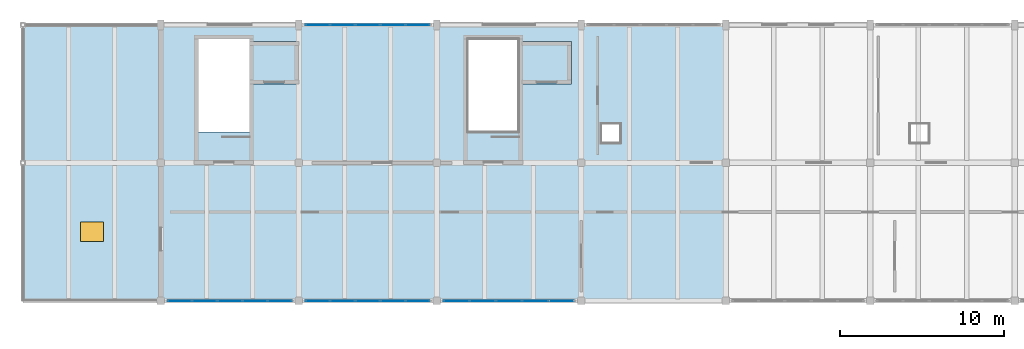
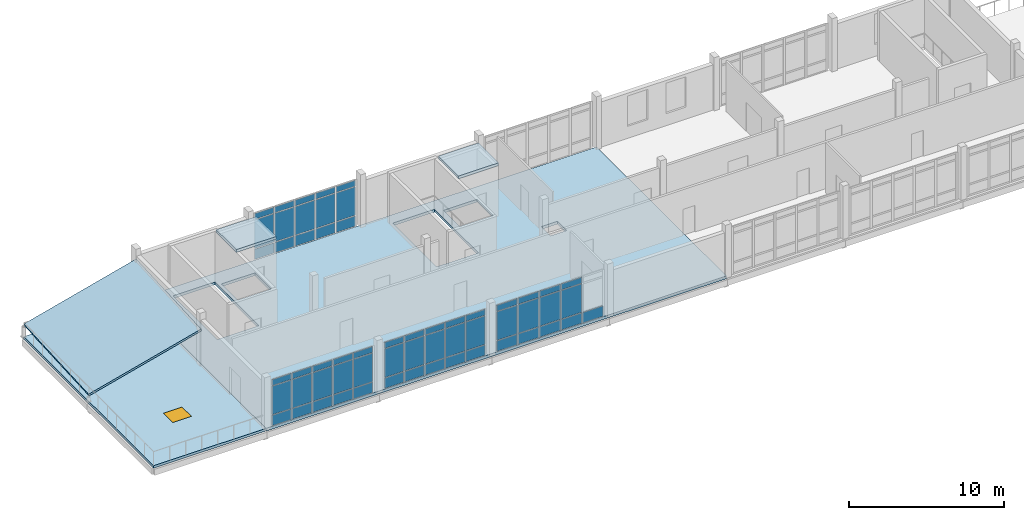
# One storey, part 9 of 13: 58 plates, 5 slabs, 1 window, 1 opening, 4 elements without a shape of their own.
"""IFC4 building model written with IfcOpenShell, lengths in metres."""

from ifc_helpers import new_model, si_unit, direction, frame, origin, origin_2d, place, context, subcontext, project, spatial, polyline, rectangle, outline, extrude, material, layer, layer_set, type_object, element, fill, aggregate, save


model = new_model("IFC4")

# Units and contexts
model_context = context("Model", 3, precision=1e-05, world=origin(), true_north=direction((0.0, 1.0)))
body_context = subcontext(model_context, "Body", "Model", "MODEL_VIEW")
ifc_project = project(units=[si_unit("LENGTHUNIT", "METRE"), si_unit("AREAUNIT", "SQUARE_METRE"), si_unit("VOLUMEUNIT", "CUBIC_METRE"), si_unit("PLANEANGLEUNIT", "RADIAN"), si_unit("MASSUNIT", "GRAM", prefix="KILO")], contexts=[model_context])

# Site, building, storey
site_placement = place(None, origin())
site = spatial("IfcSite", under=ifc_project, at=site_placement, CompositionType="ELEMENT")
building_placement = place(site_placement, origin())
building = spatial("IfcBuilding", under=site, at=building_placement, Name="Cinderway Yard Community Centre", CompositionType="ELEMENT")
storey_placement = place(building_placement, frame((0.0, 0.0, 20.10009765625)))
storey = spatial("IfcBuildingStorey", under=building, at=storey_placement, Name="L05", CompositionType="ELEMENT", Elevation=20.10009765625)

# Curtain wall, plates
ifc_material_1 = material(Name="Aluminium 6063-T6", Category="aluminium")
curtain_wall_type_1 = type_object("IfcCurtainWallType", Name="ENV-CW-TYPE-26", PredefinedType="USERDEFINED", material=ifc_material_1)
curtain_wall_1_placement = place(storey_placement, origin())
curtain_wall_1 = element("IfcCurtainWall", 1, at=curtain_wall_1_placement, inside=storey, type_object=curtain_wall_type_1, Name="V4 Courtyard Curtain Wall ENV-CW-L05-ST-0188", ObjectType="GLAZED CURTAIN WALL", PredefinedType="USERDEFINED")
ifc_material_2 = material(Name="Laminated Low-E Glass", Category="glass")
ifc_layer_1 = layer(ifc_material_2, 0.028076171875, Name="Laminated Low-E Glass")
ifc_layer_set_1 = layer_set([ifc_layer_1], Name="Laminated Low-E Glass")
plate_type = type_object("IfcPlateType", Name="ENV-CW-PAN-IGU28", PredefinedType="CURTAIN_PANEL", material=ifc_layer_set_1)
plate_1_placement = place(storey_placement, frame((59.55908203125, 98.39990234375, 0.059814453125), z_axis=(0.0, 0.0, 1.0), x_axis=(1.0, 0.0, 0.0)))
plate_1 = element("IfcPlate", 2, at=plate_1_placement, type_object=plate_type, Name="CW-26 panel 1.1", PredefinedType="CURTAIN_PANEL", context=body_context, shape_type="SweptSolid", body=[
    extrude(rectangle(XDim=1.43798828125, YDim=0.028076171875, at=origin_2d()), origin(), (0.0, 0.0, 1.0), 0.81005859375),
])
plate_2_placement = place(storey_placement, frame((59.55908203125, 98.39990234375, 0.9296875), z_axis=(0.0, 0.0, 1.0), x_axis=(1.0, 0.0, 0.0)))
plate_2 = element("IfcPlate", 3, at=plate_2_placement, type_object=plate_type, Name="CW-26 panel 1.2", PredefinedType="CURTAIN_PANEL", context=body_context, shape_type="SweptSolid", body=[
    extrude(rectangle(XDim=1.43798828125, YDim=0.028076171875, at=origin_2d()), origin(), (0.0, 0.0, 1.0), 2.239990234375),
])
plate_3_placement = place(storey_placement, frame((59.55908203125, 98.39990234375, 3.22998046875), z_axis=(0.0, 0.0, 1.0), x_axis=(1.0, 0.0, 0.0)))
plate_3 = element("IfcPlate", 4, at=plate_3_placement, type_object=plate_type, Name="CW-26 panel 1.3", PredefinedType="CURTAIN_PANEL", context=body_context, shape_type="SweptSolid", body=[
    extrude(rectangle(XDim=1.43798828125, YDim=0.028076171875, at=origin_2d()), origin(), (0.0, 0.0, 1.0), 0.4599609375),
])
plate_4_placement = place(storey_placement, frame((61.072021484375, 98.39990234375, 0.059814453125), z_axis=(0.0, 0.0, 1.0), x_axis=(1.0, 0.0, 0.0)))
plate_4 = element("IfcPlate", 5, at=plate_4_placement, type_object=plate_type, Name="CW-26 panel 2.1", PredefinedType="CURTAIN_PANEL", context=body_context, shape_type="SweptSolid", body=[
    extrude(rectangle(XDim=1.468017578125, YDim=0.028076171875, at=origin_2d()), origin(), (0.0, 0.0, 1.0), 0.81005859375),
])
plate_5_placement = place(storey_placement, frame((61.072021484375, 98.39990234375, 0.9296875), z_axis=(0.0, 0.0, 1.0), x_axis=(1.0, 0.0, 0.0)))
plate_5 = element("IfcPlate", 6, at=plate_5_placement, type_object=plate_type, Name="CW-26 panel 2.2", PredefinedType="CURTAIN_PANEL", context=body_context, shape_type="SweptSolid", body=[
    extrude(rectangle(XDim=1.468017578125, YDim=0.028076171875, at=origin_2d()), origin(), (0.0, 0.0, 1.0), 2.239990234375),
])
plate_6_placement = place(storey_placement, frame((61.072021484375, 98.39990234375, 3.22998046875), z_axis=(0.0, 0.0, 1.0), x_axis=(1.0, 0.0, 0.0)))
plate_6 = element("IfcPlate", 7, at=plate_6_placement, type_object=plate_type, Name="CW-26 panel 2.3", PredefinedType="CURTAIN_PANEL", context=body_context, shape_type="SweptSolid", body=[
    extrude(rectangle(XDim=1.468017578125, YDim=0.028076171875, at=origin_2d()), origin(), (0.0, 0.0, 1.0), 0.4599609375),
])
plate_7_placement = place(storey_placement, frame((62.60009765625, 98.39990234375, 0.059814453125), z_axis=(0.0, 0.0, 1.0), x_axis=(1.0, 0.0, 0.0)))
plate_7 = element("IfcPlate", 8, at=plate_7_placement, type_object=plate_type, Name="CW-26 panel 3.1", PredefinedType="CURTAIN_PANEL", context=body_context, shape_type="SweptSolid", body=[
    extrude(rectangle(XDim=1.468017578125, YDim=0.028076171875, at=origin_2d()), origin(), (0.0, 0.0, 1.0), 0.81005859375),
])
plate_8_placement = place(storey_placement, frame((62.60009765625, 98.39990234375, 0.9296875), z_axis=(0.0, 0.0, 1.0), x_axis=(1.0, 0.0, 0.0)))
plate_8 = element("IfcPlate", 9, at=plate_8_placement, type_object=plate_type, Name="CW-26 panel 3.2", PredefinedType="CURTAIN_PANEL", context=body_context, shape_type="SweptSolid", body=[
    extrude(rectangle(XDim=1.468017578125, YDim=0.028076171875, at=origin_2d()), origin(), (0.0, 0.0, 1.0), 2.239990234375),
])
plate_9_placement = place(storey_placement, frame((62.60009765625, 98.39990234375, 3.22998046875), z_axis=(0.0, 0.0, 1.0), x_axis=(1.0, 0.0, 0.0)))
plate_9 = element("IfcPlate", 10, at=plate_9_placement, type_object=plate_type, Name="CW-26 panel 3.3", PredefinedType="CURTAIN_PANEL", context=body_context, shape_type="SweptSolid", body=[
    extrude(rectangle(XDim=1.468017578125, YDim=0.028076171875, at=origin_2d()), origin(), (0.0, 0.0, 1.0), 0.4599609375),
])
plate_10_placement = place(storey_placement, frame((64.1279296875, 98.39990234375, 0.059814453125), z_axis=(0.0, 0.0, 1.0), x_axis=(1.0, 0.0, 0.0)))
plate_10 = element("IfcPlate", 11, at=plate_10_placement, type_object=plate_type, Name="CW-26 panel 4.1", PredefinedType="CURTAIN_PANEL", context=body_context, shape_type="SweptSolid", body=[
    extrude(rectangle(XDim=1.468017578125, YDim=0.028076171875, at=origin_2d()), origin(), (0.0, 0.0, 1.0), 0.81005859375),
])
plate_11_placement = place(storey_placement, frame((64.1279296875, 98.39990234375, 0.9296875), z_axis=(0.0, 0.0, 1.0), x_axis=(1.0, 0.0, 0.0)))
plate_11 = element("IfcPlate", 12, at=plate_11_placement, type_object=plate_type, Name="CW-26 panel 4.2", PredefinedType="CURTAIN_PANEL", context=body_context, shape_type="SweptSolid", body=[
    extrude(rectangle(XDim=1.468017578125, YDim=0.028076171875, at=origin_2d()), origin(), (0.0, 0.0, 1.0), 2.239990234375),
])
plate_12_placement = place(storey_placement, frame((64.1279296875, 98.39990234375, 3.22998046875), z_axis=(0.0, 0.0, 1.0), x_axis=(1.0, 0.0, 0.0)))
plate_12 = element("IfcPlate", 13, at=plate_12_placement, type_object=plate_type, Name="CW-26 panel 4.3", PredefinedType="CURTAIN_PANEL", context=body_context, shape_type="SweptSolid", body=[
    extrude(rectangle(XDim=1.468017578125, YDim=0.028076171875, at=origin_2d()), origin(), (0.0, 0.0, 1.0), 0.4599609375),
])
plate_13_placement = place(storey_placement, frame((65.64111328125, 98.39990234375, 0.059814453125), z_axis=(0.0, 0.0, 1.0), x_axis=(1.0, 0.0, 0.0)))
plate_13 = element("IfcPlate", 14, at=plate_13_placement, type_object=plate_type, Name="CW-26 panel 5.1", PredefinedType="CURTAIN_PANEL", context=body_context, shape_type="SweptSolid", body=[
    extrude(rectangle(XDim=1.43798828125, YDim=0.028076171875, at=origin_2d()), origin(), (0.0, 0.0, 1.0), 0.81005859375),
])
plate_14_placement = place(storey_placement, frame((65.64111328125, 98.39990234375, 0.9296875), z_axis=(0.0, 0.0, 1.0), x_axis=(1.0, 0.0, 0.0)))
plate_14 = element("IfcPlate", 15, at=plate_14_placement, type_object=plate_type, Name="CW-26 panel 5.2", PredefinedType="CURTAIN_PANEL", context=body_context, shape_type="SweptSolid", body=[
    extrude(rectangle(XDim=1.43798828125, YDim=0.028076171875, at=origin_2d()), origin(), (0.0, 0.0, 1.0), 2.239990234375),
])
plate_15_placement = place(storey_placement, frame((65.64111328125, 98.39990234375, 3.22998046875), z_axis=(0.0, 0.0, 1.0), x_axis=(1.0, 0.0, 0.0)))
plate_15 = element("IfcPlate", 16, at=plate_15_placement, type_object=plate_type, Name="CW-26 panel 5.3", PredefinedType="CURTAIN_PANEL", context=body_context, shape_type="SweptSolid", body=[
    extrude(rectangle(XDim=1.43798828125, YDim=0.028076171875, at=origin_2d()), origin(), (0.0, 0.0, 1.0), 0.4599609375),
])
aggregate(curtain_wall_1, [plate_1, plate_2, plate_3, plate_4, plate_5, plate_6, plate_7, plate_8, plate_9, plate_10, plate_11, plate_12, plate_13, plate_14, plate_15])

curtain_wall_2_placement = place(storey_placement, origin())
curtain_wall_2 = element("IfcCurtainWall", 17, at=curtain_wall_2_placement, inside=storey, type_object=curtain_wall_type_1, Name="V4 Street Curtain Wall ENV-CW-L05-ST-0189", ObjectType="GLAZED CURTAIN WALL", PredefinedType="USERDEFINED")
plate_16_placement = place(storey_placement, frame((67.958984375, 115.199951171875, 0.059814453125), z_axis=(0.0, 0.0, 1.0), x_axis=(1.0, 0.0, 0.0)))
plate_16 = element("IfcPlate", 18, at=plate_16_placement, type_object=plate_type, Name="CW-26 panel 1.1", PredefinedType="CURTAIN_PANEL", context=body_context, shape_type="SweptSolid", body=[
    extrude(rectangle(XDim=1.43798828125, YDim=0.028076171875, at=origin_2d()), origin(), (0.0, 0.0, 1.0), 0.81005859375),
])
plate_17_placement = place(storey_placement, frame((67.958984375, 115.199951171875, 0.9296875), z_axis=(0.0, 0.0, 1.0), x_axis=(1.0, 0.0, 0.0)))
plate_17 = element("IfcPlate", 19, at=plate_17_placement, type_object=plate_type, Name="CW-26 panel 1.2", PredefinedType="CURTAIN_PANEL", context=body_context, shape_type="SweptSolid", body=[
    extrude(rectangle(XDim=1.43798828125, YDim=0.028076171875, at=origin_2d()), origin(), (0.0, 0.0, 1.0), 2.239990234375),
])
plate_18_placement = place(storey_placement, frame((67.958984375, 115.199951171875, 3.22998046875), z_axis=(0.0, 0.0, 1.0), x_axis=(1.0, 0.0, 0.0)))
plate_18 = element("IfcPlate", 20, at=plate_18_placement, type_object=plate_type, Name="CW-26 panel 1.3", PredefinedType="CURTAIN_PANEL", context=body_context, shape_type="SweptSolid", body=[
    extrude(rectangle(XDim=1.43798828125, YDim=0.028076171875, at=origin_2d()), origin(), (0.0, 0.0, 1.0), 0.4599609375),
])
plate_19_placement = place(storey_placement, frame((69.471923828125, 115.199951171875, 0.059814453125), z_axis=(0.0, 0.0, 1.0), x_axis=(1.0, 0.0, 0.0)))
plate_19 = element("IfcPlate", 21, at=plate_19_placement, type_object=plate_type, Name="CW-26 panel 2.1", PredefinedType="CURTAIN_PANEL", context=body_context, shape_type="SweptSolid", body=[
    extrude(rectangle(XDim=1.468017578125, YDim=0.028076171875, at=origin_2d()), origin(), (0.0, 0.0, 1.0), 0.81005859375),
])
plate_20_placement = place(storey_placement, frame((69.471923828125, 115.199951171875, 0.9296875), z_axis=(0.0, 0.0, 1.0), x_axis=(1.0, 0.0, 0.0)))
plate_20 = element("IfcPlate", 22, at=plate_20_placement, type_object=plate_type, Name="CW-26 panel 2.2", PredefinedType="CURTAIN_PANEL", context=body_context, shape_type="SweptSolid", body=[
    extrude(rectangle(XDim=1.468017578125, YDim=0.028076171875, at=origin_2d()), origin(), (0.0, 0.0, 1.0), 2.239990234375),
])
plate_21_placement = place(storey_placement, frame((69.471923828125, 115.199951171875, 3.22998046875), z_axis=(0.0, 0.0, 1.0), x_axis=(1.0, 0.0, 0.0)))
plate_21 = element("IfcPlate", 23, at=plate_21_placement, type_object=plate_type, Name="CW-26 panel 2.3", PredefinedType="CURTAIN_PANEL", context=body_context, shape_type="SweptSolid", body=[
    extrude(rectangle(XDim=1.468017578125, YDim=0.028076171875, at=origin_2d()), origin(), (0.0, 0.0, 1.0), 0.4599609375),
])
plate_22_placement = place(storey_placement, frame((71.0, 115.199951171875, 0.059814453125), z_axis=(0.0, 0.0, 1.0), x_axis=(1.0, 0.0, 0.0)))
plate_22 = element("IfcPlate", 24, at=plate_22_placement, type_object=plate_type, Name="CW-26 panel 3.1", PredefinedType="CURTAIN_PANEL", context=body_context, shape_type="SweptSolid", body=[
    extrude(rectangle(XDim=1.468017578125, YDim=0.028076171875, at=origin_2d()), origin(), (0.0, 0.0, 1.0), 0.81005859375),
])
plate_23_placement = place(storey_placement, frame((71.0, 115.199951171875, 0.9296875), z_axis=(0.0, 0.0, 1.0), x_axis=(1.0, 0.0, 0.0)))
plate_23 = element("IfcPlate", 25, at=plate_23_placement, type_object=plate_type, Name="CW-26 panel 3.2", PredefinedType="CURTAIN_PANEL", context=body_context, shape_type="SweptSolid", body=[
    extrude(rectangle(XDim=1.468017578125, YDim=0.028076171875, at=origin_2d()), origin(), (0.0, 0.0, 1.0), 2.239990234375),
])
plate_24_placement = place(storey_placement, frame((71.0, 115.199951171875, 3.22998046875), z_axis=(0.0, 0.0, 1.0), x_axis=(1.0, 0.0, 0.0)))
plate_24 = element("IfcPlate", 26, at=plate_24_placement, type_object=plate_type, Name="CW-26 panel 3.3", PredefinedType="CURTAIN_PANEL", context=body_context, shape_type="SweptSolid", body=[
    extrude(rectangle(XDim=1.468017578125, YDim=0.028076171875, at=origin_2d()), origin(), (0.0, 0.0, 1.0), 0.4599609375),
])
plate_25_placement = place(storey_placement, frame((72.528076171875, 115.199951171875, 0.059814453125), z_axis=(0.0, 0.0, 1.0), x_axis=(1.0, 0.0, 0.0)))
plate_25 = element("IfcPlate", 27, at=plate_25_placement, type_object=plate_type, Name="CW-26 panel 4.1", PredefinedType="CURTAIN_PANEL", context=body_context, shape_type="SweptSolid", body=[
    extrude(rectangle(XDim=1.468017578125, YDim=0.028076171875, at=origin_2d()), origin(), (0.0, 0.0, 1.0), 0.81005859375),
])
plate_26_placement = place(storey_placement, frame((72.528076171875, 115.199951171875, 0.9296875), z_axis=(0.0, 0.0, 1.0), x_axis=(1.0, 0.0, 0.0)))
plate_26 = element("IfcPlate", 28, at=plate_26_placement, type_object=plate_type, Name="CW-26 panel 4.2", PredefinedType="CURTAIN_PANEL", context=body_context, shape_type="SweptSolid", body=[
    extrude(rectangle(XDim=1.468017578125, YDim=0.028076171875, at=origin_2d()), origin(), (0.0, 0.0, 1.0), 2.239990234375),
])
plate_27_placement = place(storey_placement, frame((72.528076171875, 115.199951171875, 3.22998046875), z_axis=(0.0, 0.0, 1.0), x_axis=(1.0, 0.0, 0.0)))
plate_27 = element("IfcPlate", 29, at=plate_27_placement, type_object=plate_type, Name="CW-26 panel 4.3", PredefinedType="CURTAIN_PANEL", context=body_context, shape_type="SweptSolid", body=[
    extrude(rectangle(XDim=1.468017578125, YDim=0.028076171875, at=origin_2d()), origin(), (0.0, 0.0, 1.0), 0.4599609375),
])
plate_28_placement = place(storey_placement, frame((74.041015625, 115.199951171875, 0.059814453125), z_axis=(0.0, 0.0, 1.0), x_axis=(1.0, 0.0, 0.0)))
plate_28 = element("IfcPlate", 30, at=plate_28_placement, type_object=plate_type, Name="CW-26 panel 5.1", PredefinedType="CURTAIN_PANEL", context=body_context, shape_type="SweptSolid", body=[
    extrude(rectangle(XDim=1.43798828125, YDim=0.028076171875, at=origin_2d()), origin(), (0.0, 0.0, 1.0), 0.81005859375),
])
plate_29_placement = place(storey_placement, frame((74.041015625, 115.199951171875, 0.9296875), z_axis=(0.0, 0.0, 1.0), x_axis=(1.0, 0.0, 0.0)))
plate_29 = element("IfcPlate", 31, at=plate_29_placement, type_object=plate_type, Name="CW-26 panel 5.2", PredefinedType="CURTAIN_PANEL", context=body_context, shape_type="SweptSolid", body=[
    extrude(rectangle(XDim=1.43798828125, YDim=0.028076171875, at=origin_2d()), origin(), (0.0, 0.0, 1.0), 2.239990234375),
])
plate_30_placement = place(storey_placement, frame((74.041015625, 115.199951171875, 3.22998046875), z_axis=(0.0, 0.0, 1.0), x_axis=(1.0, 0.0, 0.0)))
plate_30 = element("IfcPlate", 32, at=plate_30_placement, type_object=plate_type, Name="CW-26 panel 5.3", PredefinedType="CURTAIN_PANEL", context=body_context, shape_type="SweptSolid", body=[
    extrude(rectangle(XDim=1.43798828125, YDim=0.028076171875, at=origin_2d()), origin(), (0.0, 0.0, 1.0), 0.4599609375),
])
aggregate(curtain_wall_2, [plate_16, plate_17, plate_18, plate_19, plate_20, plate_21, plate_22, plate_23, plate_24, plate_25, plate_26, plate_27, plate_28, plate_29, plate_30])

curtain_wall_3_placement = place(storey_placement, origin())
curtain_wall_3 = element("IfcCurtainWall", 33, at=curtain_wall_3_placement, inside=storey, type_object=curtain_wall_type_1, Name="V4 Courtyard Curtain Wall ENV-CW-L05-ST-0190", ObjectType="GLAZED CURTAIN WALL", PredefinedType="USERDEFINED")
plate_31_placement = place(storey_placement, frame((67.958984375, 98.39990234375, 0.059814453125), z_axis=(0.0, 0.0, 1.0), x_axis=(1.0, 0.0, 0.0)))
plate_31 = element("IfcPlate", 34, at=plate_31_placement, type_object=plate_type, Name="CW-26 panel 1.1", PredefinedType="CURTAIN_PANEL", context=body_context, shape_type="SweptSolid", body=[
    extrude(rectangle(XDim=1.43798828125, YDim=0.028076171875, at=origin_2d()), origin(), (0.0, 0.0, 1.0), 0.81005859375),
])
plate_32_placement = place(storey_placement, frame((67.958984375, 98.39990234375, 0.9296875), z_axis=(0.0, 0.0, 1.0), x_axis=(1.0, 0.0, 0.0)))
plate_32 = element("IfcPlate", 35, at=plate_32_placement, type_object=plate_type, Name="CW-26 panel 1.2", PredefinedType="CURTAIN_PANEL", context=body_context, shape_type="SweptSolid", body=[
    extrude(rectangle(XDim=1.43798828125, YDim=0.028076171875, at=origin_2d()), origin(), (0.0, 0.0, 1.0), 2.239990234375),
])
plate_33_placement = place(storey_placement, frame((67.958984375, 98.39990234375, 3.22998046875), z_axis=(0.0, 0.0, 1.0), x_axis=(1.0, 0.0, 0.0)))
plate_33 = element("IfcPlate", 36, at=plate_33_placement, type_object=plate_type, Name="CW-26 panel 1.3", PredefinedType="CURTAIN_PANEL", context=body_context, shape_type="SweptSolid", body=[
    extrude(rectangle(XDim=1.43798828125, YDim=0.028076171875, at=origin_2d()), origin(), (0.0, 0.0, 1.0), 0.4599609375),
])
plate_34_placement = place(storey_placement, frame((69.471923828125, 98.39990234375, 0.059814453125), z_axis=(0.0, 0.0, 1.0), x_axis=(1.0, 0.0, 0.0)))
plate_34 = element("IfcPlate", 37, at=plate_34_placement, type_object=plate_type, Name="CW-26 panel 2.1", PredefinedType="CURTAIN_PANEL", context=body_context, shape_type="SweptSolid", body=[
    extrude(rectangle(XDim=1.468017578125, YDim=0.028076171875, at=origin_2d()), origin(), (0.0, 0.0, 1.0), 0.81005859375),
])
plate_35_placement = place(storey_placement, frame((69.471923828125, 98.39990234375, 0.9296875), z_axis=(0.0, 0.0, 1.0), x_axis=(1.0, 0.0, 0.0)))
plate_35 = element("IfcPlate", 38, at=plate_35_placement, type_object=plate_type, Name="CW-26 panel 2.2", PredefinedType="CURTAIN_PANEL", context=body_context, shape_type="SweptSolid", body=[
    extrude(rectangle(XDim=1.468017578125, YDim=0.028076171875, at=origin_2d()), origin(), (0.0, 0.0, 1.0), 2.239990234375),
])
plate_36_placement = place(storey_placement, frame((69.471923828125, 98.39990234375, 3.22998046875), z_axis=(0.0, 0.0, 1.0), x_axis=(1.0, 0.0, 0.0)))
plate_36 = element("IfcPlate", 39, at=plate_36_placement, type_object=plate_type, Name="CW-26 panel 2.3", PredefinedType="CURTAIN_PANEL", context=body_context, shape_type="SweptSolid", body=[
    extrude(rectangle(XDim=1.468017578125, YDim=0.028076171875, at=origin_2d()), origin(), (0.0, 0.0, 1.0), 0.4599609375),
])
plate_37_placement = place(storey_placement, frame((71.0, 98.39990234375, 0.059814453125), z_axis=(0.0, 0.0, 1.0), x_axis=(1.0, 0.0, 0.0)))
plate_37 = element("IfcPlate", 40, at=plate_37_placement, type_object=plate_type, Name="CW-26 panel 3.1", PredefinedType="CURTAIN_PANEL", context=body_context, shape_type="SweptSolid", body=[
    extrude(rectangle(XDim=1.468017578125, YDim=0.028076171875, at=origin_2d()), origin(), (0.0, 0.0, 1.0), 0.81005859375),
])
plate_38_placement = place(storey_placement, frame((71.0, 98.39990234375, 0.9296875), z_axis=(0.0, 0.0, 1.0), x_axis=(1.0, 0.0, 0.0)))
plate_38 = element("IfcPlate", 41, at=plate_38_placement, type_object=plate_type, Name="CW-26 panel 3.2", PredefinedType="CURTAIN_PANEL", context=body_context, shape_type="SweptSolid", body=[
    extrude(rectangle(XDim=1.468017578125, YDim=0.028076171875, at=origin_2d()), origin(), (0.0, 0.0, 1.0), 2.239990234375),
])
plate_39_placement = place(storey_placement, frame((71.0, 98.39990234375, 3.22998046875), z_axis=(0.0, 0.0, 1.0), x_axis=(1.0, 0.0, 0.0)))
plate_39 = element("IfcPlate", 42, at=plate_39_placement, type_object=plate_type, Name="CW-26 panel 3.3", PredefinedType="CURTAIN_PANEL", context=body_context, shape_type="SweptSolid", body=[
    extrude(rectangle(XDim=1.468017578125, YDim=0.028076171875, at=origin_2d()), origin(), (0.0, 0.0, 1.0), 0.4599609375),
])
plate_40_placement = place(storey_placement, frame((72.528076171875, 98.39990234375, 0.059814453125), z_axis=(0.0, 0.0, 1.0), x_axis=(1.0, 0.0, 0.0)))
plate_40 = element("IfcPlate", 43, at=plate_40_placement, type_object=plate_type, Name="CW-26 panel 4.1", PredefinedType="CURTAIN_PANEL", context=body_context, shape_type="SweptSolid", body=[
    extrude(rectangle(XDim=1.468017578125, YDim=0.028076171875, at=origin_2d()), origin(), (0.0, 0.0, 1.0), 0.81005859375),
])
plate_41_placement = place(storey_placement, frame((72.528076171875, 98.39990234375, 0.9296875), z_axis=(0.0, 0.0, 1.0), x_axis=(1.0, 0.0, 0.0)))
plate_41 = element("IfcPlate", 44, at=plate_41_placement, type_object=plate_type, Name="CW-26 panel 4.2", PredefinedType="CURTAIN_PANEL", context=body_context, shape_type="SweptSolid", body=[
    extrude(rectangle(XDim=1.468017578125, YDim=0.028076171875, at=origin_2d()), origin(), (0.0, 0.0, 1.0), 2.239990234375),
])
plate_42_placement = place(storey_placement, frame((72.528076171875, 98.39990234375, 3.22998046875), z_axis=(0.0, 0.0, 1.0), x_axis=(1.0, 0.0, 0.0)))
plate_42 = element("IfcPlate", 45, at=plate_42_placement, type_object=plate_type, Name="CW-26 panel 4.3", PredefinedType="CURTAIN_PANEL", context=body_context, shape_type="SweptSolid", body=[
    extrude(rectangle(XDim=1.468017578125, YDim=0.028076171875, at=origin_2d()), origin(), (0.0, 0.0, 1.0), 0.4599609375),
])
plate_43_placement = place(storey_placement, frame((74.041015625, 98.39990234375, 0.059814453125), z_axis=(0.0, 0.0, 1.0), x_axis=(1.0, 0.0, 0.0)))
plate_43 = element("IfcPlate", 46, at=plate_43_placement, type_object=plate_type, Name="CW-26 panel 5.1", PredefinedType="CURTAIN_PANEL", context=body_context, shape_type="SweptSolid", body=[
    extrude(rectangle(XDim=1.43798828125, YDim=0.028076171875, at=origin_2d()), origin(), (0.0, 0.0, 1.0), 0.81005859375),
])
plate_44_placement = place(storey_placement, frame((74.041015625, 98.39990234375, 0.9296875), z_axis=(0.0, 0.0, 1.0), x_axis=(1.0, 0.0, 0.0)))
plate_44 = element("IfcPlate", 47, at=plate_44_placement, type_object=plate_type, Name="CW-26 panel 5.2", PredefinedType="CURTAIN_PANEL", context=body_context, shape_type="SweptSolid", body=[
    extrude(rectangle(XDim=1.43798828125, YDim=0.028076171875, at=origin_2d()), origin(), (0.0, 0.0, 1.0), 2.239990234375),
])
plate_45_placement = place(storey_placement, frame((74.041015625, 98.39990234375, 3.22998046875), z_axis=(0.0, 0.0, 1.0), x_axis=(1.0, 0.0, 0.0)))
plate_45 = element("IfcPlate", 48, at=plate_45_placement, type_object=plate_type, Name="CW-26 panel 5.3", PredefinedType="CURTAIN_PANEL", context=body_context, shape_type="SweptSolid", body=[
    extrude(rectangle(XDim=1.43798828125, YDim=0.028076171875, at=origin_2d()), origin(), (0.0, 0.0, 1.0), 0.4599609375),
])
aggregate(curtain_wall_3, [plate_31, plate_32, plate_33, plate_34, plate_35, plate_36, plate_37, plate_38, plate_39, plate_40, plate_41, plate_42, plate_43, plate_44, plate_45])

curtain_wall_type_2 = type_object("IfcCurtainWallType", Name="ENV-CW-TYPE-27", PredefinedType="USERDEFINED", material=ifc_material_1)
curtain_wall_4_placement = place(storey_placement, origin())
curtain_wall_4 = element("IfcCurtainWall", 49, at=curtain_wall_4_placement, inside=storey, type_object=curtain_wall_type_2, Name="V4 Courtyard Curtain Wall ENV-CW-L05-ST-0191", ObjectType="GLAZED CURTAIN WALL", PredefinedType="USERDEFINED")
plate_46_placement = place(storey_placement, frame((76.39892578125, 98.39990234375, 0.059814453125), z_axis=(0.0, 0.0, 1.0), x_axis=(1.0, 0.0, 0.0)))
plate_46 = element("IfcPlate", 50, at=plate_46_placement, type_object=plate_type, Name="CW-27 panel 1.1", PredefinedType="CURTAIN_PANEL", context=body_context, shape_type="SweptSolid", body=[
    extrude(rectangle(XDim=1.51806640625, YDim=0.028076171875, at=origin_2d()), origin(), (0.0, 0.0, 1.0), 0.81005859375),
])
plate_47_placement = place(storey_placement, frame((76.39892578125, 98.39990234375, 0.9296875), z_axis=(0.0, 0.0, 1.0), x_axis=(1.0, 0.0, 0.0)))
plate_47 = element("IfcPlate", 51, at=plate_47_placement, type_object=plate_type, Name="CW-27 panel 1.2", PredefinedType="CURTAIN_PANEL", context=body_context, shape_type="SweptSolid", body=[
    extrude(rectangle(XDim=1.51806640625, YDim=0.028076171875, at=origin_2d()), origin(), (0.0, 0.0, 1.0), 2.239990234375),
])
plate_48_placement = place(storey_placement, frame((76.39892578125, 98.39990234375, 3.22998046875), z_axis=(0.0, 0.0, 1.0), x_axis=(1.0, 0.0, 0.0)))
plate_48 = element("IfcPlate", 52, at=plate_48_placement, type_object=plate_type, Name="CW-27 panel 1.3", PredefinedType="CURTAIN_PANEL", context=body_context, shape_type="SweptSolid", body=[
    extrude(rectangle(XDim=1.51806640625, YDim=0.028076171875, at=origin_2d()), origin(), (0.0, 0.0, 1.0), 0.4599609375),
])
plate_49_placement = place(storey_placement, frame((77.991943359375, 98.39990234375, 0.059814453125), z_axis=(0.0, 0.0, 1.0), x_axis=(1.0, 0.0, 0.0)))
plate_49 = element("IfcPlate", 53, at=plate_49_placement, type_object=plate_type, Name="CW-27 panel 2.1", PredefinedType="CURTAIN_PANEL", context=body_context, shape_type="SweptSolid", body=[
    extrude(rectangle(XDim=1.548095703125, YDim=0.028076171875, at=origin_2d()), origin(), (0.0, 0.0, 1.0), 0.81005859375),
])
plate_50_placement = place(storey_placement, frame((77.991943359375, 98.39990234375, 0.9296875), z_axis=(0.0, 0.0, 1.0), x_axis=(1.0, 0.0, 0.0)))
plate_50 = element("IfcPlate", 54, at=plate_50_placement, type_object=plate_type, Name="CW-27 panel 2.2", PredefinedType="CURTAIN_PANEL", context=body_context, shape_type="SweptSolid", body=[
    extrude(rectangle(XDim=1.548095703125, YDim=0.028076171875, at=origin_2d()), origin(), (0.0, 0.0, 1.0), 2.239990234375),
])
plate_51_placement = place(storey_placement, frame((77.991943359375, 98.39990234375, 3.22998046875), z_axis=(0.0, 0.0, 1.0), x_axis=(1.0, 0.0, 0.0)))
plate_51 = element("IfcPlate", 55, at=plate_51_placement, type_object=plate_type, Name="CW-27 panel 2.3", PredefinedType="CURTAIN_PANEL", context=body_context, shape_type="SweptSolid", body=[
    extrude(rectangle(XDim=1.548095703125, YDim=0.028076171875, at=origin_2d()), origin(), (0.0, 0.0, 1.0), 0.4599609375),
])
plate_52_placement = place(storey_placement, frame((79.60009765625, 98.39990234375, 0.059814453125), z_axis=(0.0, 0.0, 1.0), x_axis=(1.0, 0.0, 0.0)))
plate_52 = element("IfcPlate", 56, at=plate_52_placement, type_object=plate_type, Name="CW-27 panel 3.1", PredefinedType="CURTAIN_PANEL", context=body_context, shape_type="SweptSolid", body=[
    extrude(rectangle(XDim=1.548095703125, YDim=0.028076171875, at=origin_2d()), origin(), (0.0, 0.0, 1.0), 0.81005859375),
])
plate_53_placement = place(storey_placement, frame((79.60009765625, 98.39990234375, 0.9296875), z_axis=(0.0, 0.0, 1.0), x_axis=(1.0, 0.0, 0.0)))
plate_53 = element("IfcPlate", 57, at=plate_53_placement, type_object=plate_type, Name="CW-27 panel 3.2", PredefinedType="CURTAIN_PANEL", context=body_context, shape_type="SweptSolid", body=[
    extrude(rectangle(XDim=1.548095703125, YDim=0.028076171875, at=origin_2d()), origin(), (0.0, 0.0, 1.0), 2.239990234375),
])
plate_54_placement = place(storey_placement, frame((79.60009765625, 98.39990234375, 3.22998046875), z_axis=(0.0, 0.0, 1.0), x_axis=(1.0, 0.0, 0.0)))
plate_54 = element("IfcPlate", 58, at=plate_54_placement, type_object=plate_type, Name="CW-27 panel 3.3", PredefinedType="CURTAIN_PANEL", context=body_context, shape_type="SweptSolid", body=[
    extrude(rectangle(XDim=1.548095703125, YDim=0.028076171875, at=origin_2d()), origin(), (0.0, 0.0, 1.0), 0.4599609375),
])
plate_55_placement = place(storey_placement, frame((81.2080078125, 98.39990234375, 0.059814453125), z_axis=(0.0, 0.0, 1.0), x_axis=(1.0, 0.0, 0.0)))
plate_55 = element("IfcPlate", 59, at=plate_55_placement, type_object=plate_type, Name="CW-27 panel 4.1", PredefinedType="CURTAIN_PANEL", context=body_context, shape_type="SweptSolid", body=[
    extrude(rectangle(XDim=1.548095703125, YDim=0.028076171875, at=origin_2d()), origin(), (0.0, 0.0, 1.0), 0.81005859375),
])
plate_56_placement = place(storey_placement, frame((81.2080078125, 98.39990234375, 0.9296875), z_axis=(0.0, 0.0, 1.0), x_axis=(1.0, 0.0, 0.0)))
plate_56 = element("IfcPlate", 60, at=plate_56_placement, type_object=plate_type, Name="CW-27 panel 4.2", PredefinedType="CURTAIN_PANEL", context=body_context, shape_type="SweptSolid", body=[
    extrude(rectangle(XDim=1.548095703125, YDim=0.028076171875, at=origin_2d()), origin(), (0.0, 0.0, 1.0), 2.239990234375),
])
plate_57_placement = place(storey_placement, frame((81.2080078125, 98.39990234375, 3.22998046875), z_axis=(0.0, 0.0, 1.0), x_axis=(1.0, 0.0, 0.0)))
plate_57 = element("IfcPlate", 61, at=plate_57_placement, type_object=plate_type, Name="CW-27 panel 4.3", PredefinedType="CURTAIN_PANEL", context=body_context, shape_type="SweptSolid", body=[
    extrude(rectangle(XDim=1.548095703125, YDim=0.028076171875, at=origin_2d()), origin(), (0.0, 0.0, 1.0), 0.4599609375),
])
plate_58_placement = place(storey_placement, frame((82.801025390625, 98.39990234375, 0.059814453125), z_axis=(0.0, 0.0, 1.0), x_axis=(1.0, 0.0, 0.0)))
plate_58 = element("IfcPlate", 62, at=plate_58_placement, type_object=plate_type, Name="CW-27 panel 5.1", PredefinedType="CURTAIN_PANEL", context=body_context, shape_type="SweptSolid", body=[
    extrude(rectangle(XDim=1.51806640625, YDim=0.028076171875, at=origin_2d()), origin(), (0.0, 0.0, 1.0), 0.81005859375),
])
aggregate(curtain_wall_4, [plate_46, plate_47, plate_48, plate_49, plate_50, plate_51, plate_52, plate_53, plate_54, plate_55, plate_56, plate_57, plate_58])

# Slabs
ifc_material_3 = material(Name="Concrete C35/45", Category="concrete")
ifc_layer_2 = layer(ifc_material_3, 0.219970703125, Name="Concrete C35/45")
ifc_layer_set_2 = layer_set([ifc_layer_2], Name="Concrete C35/45")
slab_type_1 = type_object("IfcSlabType", Name="STR-SLAB-FLR-220", PredefinedType="FLOOR", material=ifc_layer_set_2)
slab_1_placement = place(storey_placement, frame((0.0, 0.0, -0.22021484375)))
element("IfcSlab", 63, at=slab_1_placement, inside=storey, type_object=slab_type_1, Name="V4 West Seminar Slab L05 STR-SLAB-L05-045", PredefinedType="FLOOR", context=body_context, shape_type="SweptSolid", body=[
    extrude(outline(polyline([(58.39990234375, 98.39990234375), (92.800048828125, 98.39990234375), (92.800048828125, 115.199951171875), (58.39990234375, 115.199951171875), (58.39990234375, 98.39990234375)]), holes=[polyline([(63.800048828125, 108.669921875), (63.800048828125, 114.35009765625), (60.679931640625, 114.35009765625), (60.679931640625, 108.669921875), (63.800048828125, 108.669921875)]), polyline([(64.050048828125, 111.85009765625), (66.550048828125, 111.85009765625), (66.550048828125, 113.949951171875), (64.050048828125, 113.949951171875), (64.050048828125, 111.85009765625)]), polyline([(80.199951171875, 108.669921875), (80.199951171875, 114.35009765625), (77.080078125, 114.35009765625), (77.080078125, 108.669921875), (80.199951171875, 108.669921875)]), polyline([(80.64990234375, 111.85009765625), (83.14990234375, 111.85009765625), (83.14990234375, 113.949951171875), (80.64990234375, 113.949951171875), (80.64990234375, 111.85009765625)]), polyline([(85.199951171875, 108.0), (86.39990234375, 108.0), (86.39990234375, 109.199951171875), (85.199951171875, 109.199951171875), (85.199951171875, 108.0)])]), origin(), (0.0, 0.0, 1.0), 0.22021484375),
])
slab_2_placement = place(storey_placement, frame((0.0, 0.0, 4.0)))
element("IfcSlab", 64, at=slab_2_placement, inside=storey, type_object=slab_type_1, Name="Lift LF-01 Shaft Overrun Cap", PredefinedType="FLOOR", context=body_context, shape_type="SweptSolid", body=[
    extrude(outline(polyline([(63.800048828125, 111.60009765625), (66.800048828125, 111.60009765625), (66.800048828125, 114.199951171875), (63.800048828125, 114.199951171875), (63.800048828125, 111.60009765625)])), origin(), (0.0, 0.0, 1.0), 0.219970703125),
])
slab_3_placement = place(storey_placement, frame((0.0, 0.0, 4.0)))
element("IfcSlab", 65, at=slab_3_placement, inside=storey, type_object=slab_type_1, Name="Lift LF-02 Shaft Overrun Cap", PredefinedType="FLOOR", context=body_context, shape_type="SweptSolid", body=[
    extrude(outline(polyline([(80.39990234375, 111.60009765625), (83.39990234375, 111.60009765625), (83.39990234375, 114.199951171875), (80.39990234375, 114.199951171875), (80.39990234375, 111.60009765625)])), origin(), (0.0, 0.0, 1.0), 0.219970703125),
])
ifc_material_4 = material(Name="Concrete C40/50", Category="concrete")
ifc_layer_3 = layer(ifc_material_4, 0.159912109375, Name="Concrete C40/50")
ifc_layer_set_3 = layer_set([ifc_layer_3], Name="Concrete C40/50")
slab_type_2 = type_object("IfcSlabType", Name="STR-SLAB-ROOF-CN160", PredefinedType="ROOF", material=ifc_layer_set_3)
slab_4_placement = place(storey_placement, frame((50.0, 106.800048828125, 0.5498046875), z_axis=(-0.253030374286, -0.051762913499, 0.966072580335), x_axis=(0.967369424833, 7.03e-07, 0.253370076959)))
element("IfcSlab", 66, at=slab_4_placement, inside=storey, type_object=slab_type_2, Name="V4 Asymmetric Canted Canopy SHARD-W", PredefinedType="ROOF", context=body_context, shape_type="SweptSolid", body=[
    extrude(outline(polyline([(0.0, 0.0), (8.683272354577884, 0.0), (8.79728242275207, 8.41117216159889), (0.11407192610313177, 8.411184386618904), (0.0, 0.0)])), origin(), (0.0, 0.0, -1.0), 0.159912109375),
])

# Slab, opening, window
ifc_layer_4 = layer(ifc_material_4, 0.199951171875, Name="Concrete C40/50")
ifc_layer_set_4 = layer_set([ifc_layer_4], Name="Concrete C40/50")
slab_type_3 = type_object("IfcSlabType", Name="STR-SLAB-TER-200", PredefinedType="FLOOR", material=ifc_layer_set_4)
slab_5_placement = place(storey_placement, frame((0.0, 0.0, -0.2001953125)))
slab_5 = element("IfcSlab", 67, at=slab_5_placement, inside=storey, type_object=slab_type_3, Name="V4 West Seminar Terrace Slab L05 STR-SLAB-L05-047", PredefinedType="FLOOR", context=body_context, shape_type="SweptSolid", body=[
    extrude(outline(polyline([(50.0, 98.39990234375), (58.39990234375, 98.39990234375), (58.39990234375, 115.199951171875), (50.0, 115.199951171875), (50.0, 98.39990234375)])), origin(), (0.0, 0.0, 1.0), 0.2001953125),
])
opening_placement = place(slab_5_placement, frame((54.199951171875, 102.60009765625, 0.0)))
opening = element("IfcOpeningElement", 68, at=opening_placement, cuts=slab_5, Name="Opening SK-02", PredefinedType="OPENING", context=body_context, shape_type="SweptSolid", body=[
    extrude(rectangle(XDim=1.39990234375, YDim=1.199951171875, at=origin_2d()), origin(), (0.0, 0.0, 1.0), 0.2001953125),
])
window_type = type_object("IfcWindowType", Name="ENV-SKY-S02", PartitioningType="SINGLE_PANEL", PredefinedType="SKYLIGHT", material=ifc_material_2)
window_placement = place(opening_placement, frame((0.0, 0.0, 0.150146484375)))
window = element("IfcWindow", 69, at=window_placement, inside=storey, type_object=window_type, Name="Terrace daylight skylight 06", OverallHeight=1.199951171875, OverallWidth=1.39990234375, PartitioningType="SINGLE_PANEL", PredefinedType="SKYLIGHT", context=body_context, shape_type="SweptSolid", body=[
    extrude(rectangle(XDim=1.39990234375, YDim=1.199951171875, at=origin_2d()), origin(), (0.0, 0.0, 1.0), 0.050048828125),
])
fill(opening, window)

save(model, "model.ifc")
